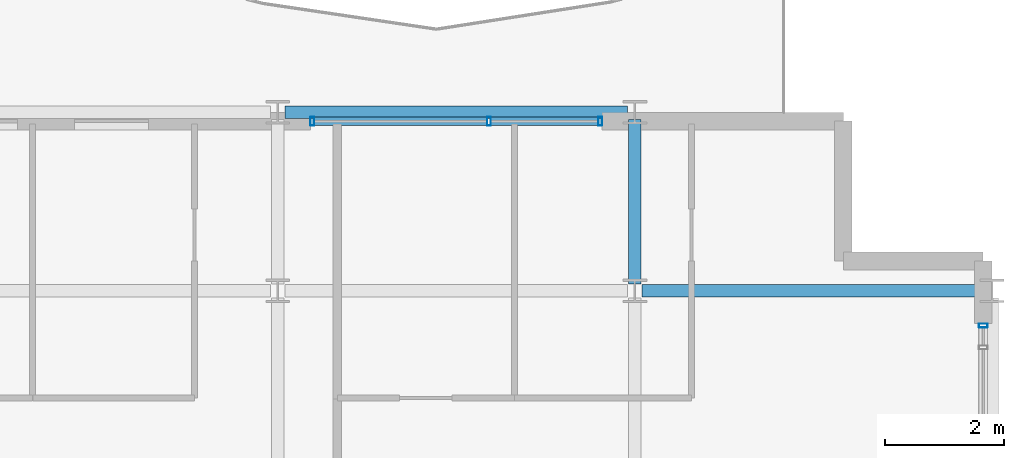
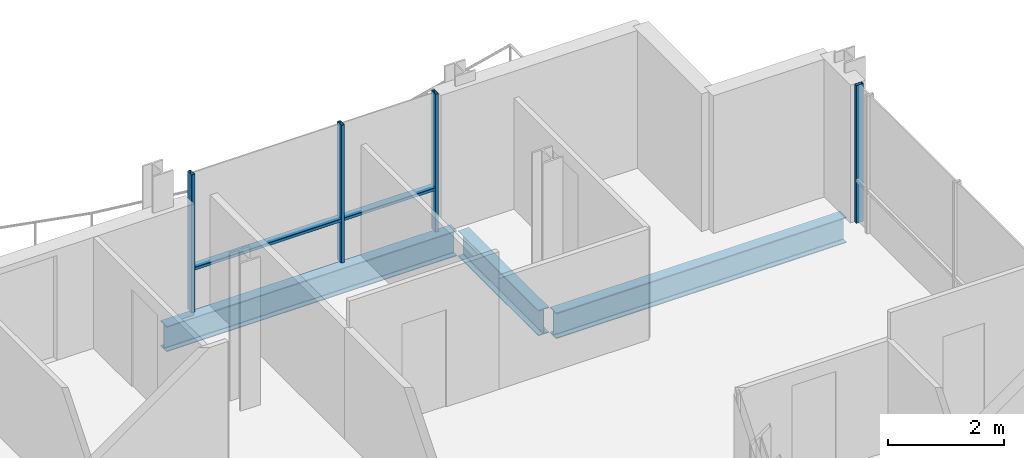
# One storey, part 14 of 27: 6 members, 3 beams, 2 elements without a shape of their own.
"""IFC4 building model written with IfcOpenShell, lengths in metres."""

from ifc_helpers import new_model, si_unit, direction, frame, origin, origin_2d, place, context, subcontext, project, spatial, hollow_rectangle, i_section, extrude, material, layer, layer_set, material_profile, profile_set, type_object, element, aggregate, save


model = new_model("IFC4")

# Units and contexts
model_context = context("Model", 3, precision=1e-05, world=origin(), true_north=direction((0.0, 1.0)))
body_context = subcontext(model_context, "Body", "Model", "MODEL_VIEW")
ifc_project = project(units=[si_unit("LENGTHUNIT", "METRE"), si_unit("AREAUNIT", "SQUARE_METRE"), si_unit("VOLUMEUNIT", "CUBIC_METRE"), si_unit("PLANEANGLEUNIT", "RADIAN"), si_unit("MASSUNIT", "GRAM", prefix="KILO")], contexts=[model_context])

# Site, building, storey
site_placement = place(None, origin())
site = spatial("IfcSite", under=ifc_project, at=site_placement, CompositionType="ELEMENT")
building_placement = place(site_placement, origin())
building = spatial("IfcBuilding", under=site, at=building_placement, Name="Brevholm Reach", CompositionType="ELEMENT")
storey_placement = place(building_placement, frame((0.0, 0.0, 195.60009765625)))
storey = spatial("IfcBuildingStorey", under=building, at=storey_placement, Name="L59", CompositionType="ELEMENT", Elevation=195.60009765625)

# Beams
ifc_material_1 = material(Name="Structural Steel S355J2", Category="steel")
ifc_material_profile_1 = material_profile(ifc_material_1, i_section(OverallWidth=0.209228515625, OverallDepth=0.533203125, WebThickness=0.010009765625, FlangeThickness=0.015625, FilletRadius=0.0126953125, at=origin_2d()), Name="UKB 533x210x92")
ifc_profile_set_1 = profile_set([ifc_material_profile_1], Name="Structural Steel S355J2")
beam_type_1 = type_object("IfcBeamType", Name="BM-SP533", PredefinedType="SPANDREL", material=ifc_profile_set_1)
beam_1_placement = place(storey_placement, frame((48.1201171875, 26.5, -0.4765625), z_axis=(1.0, 0.0, 0.0), x_axis=(0.0, 1.0, 0.0)))
element("IfcBeam", 1, at=beam_1_placement, inside=storey, type_object=beam_type_1, Name="L59 SP-02 Framing Beam", PredefinedType="SPANDREL", context=body_context, shape_type="SweptSolid", body=[
    extrude(i_section(OverallWidth=0.209228515625, OverallDepth=0.533203125, WebThickness=0.010009765625, FlangeThickness=0.015625, FilletRadius=0.0126953125, at=origin_2d()), origin(), (0.0, 0.0, 1.0), 5.759765625),
])
ifc_material_2 = material(Name="Structural Steel S355J2", Category="steel")
ifc_material_profile_2 = material_profile(ifc_material_2, i_section(OverallWidth=0.210693359375, OverallDepth=0.53955078125, WebThickness=0.01171875, FlangeThickness=0.018798828125, FilletRadius=0.0126953125, at=origin_2d()), Name="UKB 533x210x109")
ifc_profile_set_2 = profile_set([ifc_material_profile_2], Name="Structural Steel S355J2")
beam_type_2 = type_object("IfcBeamType", Name="BM-SP539", PredefinedType="SPANDREL", material=ifc_profile_set_2)
beam_2_placement = place(storey_placement, frame((54.1201171875, 23.5, -0.479736328125), z_axis=(1.0, 0.0, 0.0), x_axis=(0.0, 1.0, 0.0)))
element("IfcBeam", 2, at=beam_2_placement, inside=storey, type_object=beam_type_2, Name="L59 SP-01B Framing Beam", PredefinedType="SPANDREL", context=body_context, shape_type="SweptSolid", body=[
    extrude(i_section(OverallWidth=0.210693359375, OverallDepth=0.53955078125, WebThickness=0.01171875, FlangeThickness=0.018798828125, FilletRadius=0.0126953125, at=origin_2d()), origin(), (0.0, 0.0, 1.0), 5.759765625),
])
beam_3_placement = place(storey_placement, frame((54.0, 23.6201171875, -0.479736328125), z_axis=(0.0, 1.0, 0.0), x_axis=(-1.0, 0.0, 0.0)))
element("IfcBeam", 3, at=beam_3_placement, inside=storey, type_object=beam_type_2, Name="L59 SP-01B Framing Beam", PredefinedType="SPANDREL", context=body_context, shape_type="SweptSolid", body=[
    extrude(i_section(OverallWidth=0.210693359375, OverallDepth=0.53955078125, WebThickness=0.01171875, FlangeThickness=0.018798828125, FilletRadius=0.0126953125, at=origin_2d()), origin(), (0.0, 0.0, 1.0), 2.759765625),
])

# Curtain wall, member
ifc_material_3 = material(Name="Dark Anodised Aluminium 6063-T6 and Solar-Control Glass", Category="aluminium")
ifc_layer = layer(ifc_material_3, 0.14990234375)
ifc_layer_set = layer_set([ifc_layer], Name="Dark Anodised Aluminium 6063-T6 and Solar-Control Glass")
curtain_wall_type = type_object("IfcCurtainWallType", Name="CW-01", PredefinedType="NOTDEFINED", material=ifc_layer_set)
curtain_wall_1_placement = place(storey_placement, origin())
curtain_wall_1 = element("IfcCurtainWall", 4, at=curtain_wall_1_placement, inside=storey, type_object=curtain_wall_type, Name="L59 Curtain Wall CW-01", PredefinedType="NOTDEFINED")
ifc_material_4 = material(Name="Dark Anodised Aluminium 6063-T6", Category="aluminium")
ifc_material_profile_3 = material_profile(ifc_material_4, hollow_rectangle(XDim=0.06494140625, YDim=0.14990234375, WallThickness=0.0048828125, InnerFilletRadius=0.0048828125, OuterFilletRadius=0.010009765625, at=origin_2d()), Name="RHS 150x65x5")
ifc_profile_set_3 = profile_set([ifc_material_profile_3], Name="Dark Anodised Aluminium 6063-T6")
member_type_1 = type_object("IfcMemberType", Name="CWM-150", PredefinedType="MULLION", material=ifc_profile_set_3)
member_1_placement = place(storey_placement, frame((59.85009765625, 22.91748046875, 0.0), z_axis=(0.0, 0.0, 1.0), x_axis=(0.0, 1.0, 0.0)))
member_1 = element("IfcMember", 5, at=member_1_placement, type_object=member_type_1, Name="CM-150 Mullion 6", PredefinedType="MULLION", context=body_context, shape_type="SweptSolid", body=[
    extrude(hollow_rectangle(XDim=0.06494140625, YDim=0.14990234375, WallThickness=0.0048828125, InnerFilletRadius=0.0048828125, OuterFilletRadius=0.010009765625, at=origin_2d()), origin(), (0.0, 0.0, 1.0), 2.889892578125),
])
aggregate(curtain_wall_1, [member_1])

# Curtain wall, members
curtain_wall_2_placement = place(storey_placement, origin())
curtain_wall_2 = element("IfcCurtainWall", 6, at=curtain_wall_2_placement, inside=storey, type_object=curtain_wall_type, Name="L59 Curtain Wall CW-01", PredefinedType="NOTDEFINED")
member_2_placement = place(storey_placement, frame((48.58251953125, 26.35009765625, 0.0), z_axis=(0.0, 0.0, 1.0), x_axis=(1.0, 0.0, 0.0)))
member_2 = element("IfcMember", 7, at=member_2_placement, type_object=member_type_1, Name="CM-150 Mullion 1", PredefinedType="MULLION", context=body_context, shape_type="SweptSolid", body=[
    extrude(hollow_rectangle(XDim=0.06494140625, YDim=0.14990234375, WallThickness=0.0048828125, InnerFilletRadius=0.0048828125, OuterFilletRadius=0.010009765625, at=origin_2d()), origin(), (0.0, 0.0, 1.0), 2.889892578125),
])
member_3_placement = place(storey_placement, frame((51.550048828125, 26.35009765625, 0.0), z_axis=(0.0, 0.0, 1.0), x_axis=(1.0, 0.0, 0.0)))
member_3 = element("IfcMember", 8, at=member_3_placement, type_object=member_type_1, Name="CM-150 Mullion 2", PredefinedType="MULLION", context=body_context, shape_type="SweptSolid", body=[
    extrude(hollow_rectangle(XDim=0.06494140625, YDim=0.14990234375, WallThickness=0.0048828125, InnerFilletRadius=0.0048828125, OuterFilletRadius=0.010009765625, at=origin_2d()), origin(), (0.0, 0.0, 1.0), 2.889892578125),
])
member_4_placement = place(storey_placement, frame((53.41748046875, 26.35009765625, 0.0), z_axis=(0.0, 0.0, 1.0), x_axis=(1.0, 0.0, 0.0)))
member_4 = element("IfcMember", 9, at=member_4_placement, type_object=member_type_1, Name="CM-150 Mullion 3", PredefinedType="MULLION", context=body_context, shape_type="SweptSolid", body=[
    extrude(hollow_rectangle(XDim=0.06494140625, YDim=0.14990234375, WallThickness=0.0048828125, InnerFilletRadius=0.0048828125, OuterFilletRadius=0.010009765625, at=origin_2d()), origin(), (0.0, 0.0, 1.0), 2.889892578125),
])
ifc_material_5 = material(Name="Dark Anodised Aluminium 6063-T6", Category="aluminium")
ifc_material_profile_4 = material_profile(ifc_material_5, hollow_rectangle(XDim=0.06494140625, YDim=0.14990234375, WallThickness=0.0048828125, InnerFilletRadius=0.0048828125, OuterFilletRadius=0.010009765625, at=origin_2d()), Name="RHS 150x65x5")
ifc_profile_set_4 = profile_set([ifc_material_profile_4], Name="Dark Anodised Aluminium 6063-T6")
member_type_2 = type_object("IfcMemberType", Name="CWT-150", PredefinedType="NOTDEFINED", material=ifc_profile_set_4)
member_5_placement = place(storey_placement, frame((48.614990234375, 26.35009765625, 0.89990234375), z_axis=(1.0, 0.0, 0.0), x_axis=(0.0, 0.0, 1.0)))
member_5 = element("IfcMember", 10, at=member_5_placement, type_object=member_type_2, Name="CT-150 Transom 1.1", ObjectType="TRANSOM", PredefinedType="USERDEFINED", context=body_context, shape_type="SweptSolid", body=[
    extrude(hollow_rectangle(XDim=0.06494140625, YDim=0.14990234375, WallThickness=0.0048828125, InnerFilletRadius=0.0048828125, OuterFilletRadius=0.010009765625, at=origin_2d()), origin(), (0.0, 0.0, 1.0), 2.902587890625),
])
member_6_placement = place(storey_placement, frame((51.58251953125, 26.35009765625, 0.89990234375), z_axis=(1.0, 0.0, 0.0), x_axis=(0.0, 0.0, 1.0)))
member_6 = element("IfcMember", 11, at=member_6_placement, type_object=member_type_2, Name="CT-150 Transom 2.1", ObjectType="TRANSOM", PredefinedType="USERDEFINED", context=body_context, shape_type="SweptSolid", body=[
    extrude(hollow_rectangle(XDim=0.06494140625, YDim=0.14990234375, WallThickness=0.0048828125, InnerFilletRadius=0.0048828125, OuterFilletRadius=0.010009765625, at=origin_2d()), origin(), (0.0, 0.0, 1.0), 1.802490234375),
])
aggregate(curtain_wall_2, [member_2, member_3, member_4, member_5, member_6])

save(model, "model.ifc")
